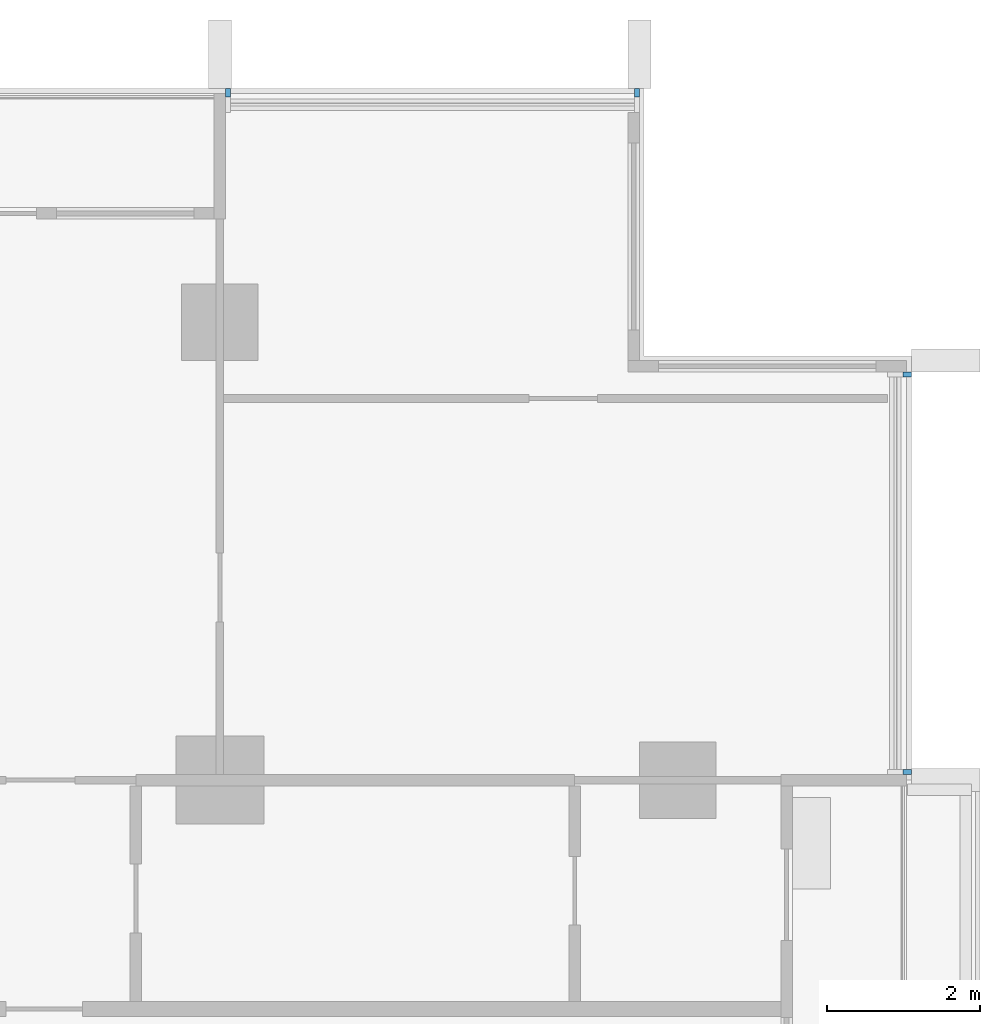
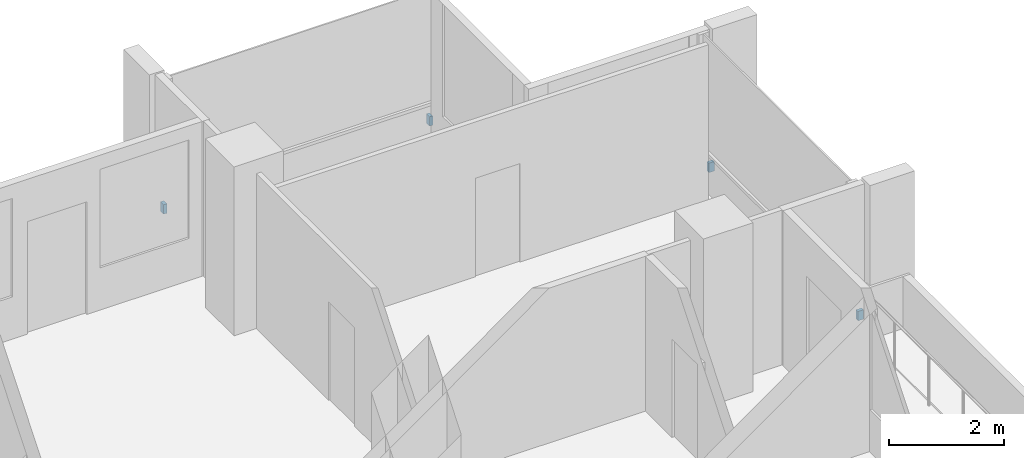
# One storey, part 16 of 17: 4 discrete accessories.
"""IFC4 building model written with IfcOpenShell, lengths in metres."""

from ifc_helpers import new_model, si_unit, direction, frame, origin, origin_2d, place, context, subcontext, project, spatial, rectangle, extrude, material, type_object, element, save


model = new_model("IFC4")

# Units and contexts
model_context = context("Model", 3, precision=1e-05, world=origin(), true_north=direction((0.0, 1.0)))
body_context = subcontext(model_context, "Body", "Model", "MODEL_VIEW")
ifc_project = project(units=[si_unit("LENGTHUNIT", "METRE"), si_unit("AREAUNIT", "SQUARE_METRE"), si_unit("VOLUMEUNIT", "CUBIC_METRE"), si_unit("PLANEANGLEUNIT", "RADIAN"), si_unit("MASSUNIT", "GRAM", prefix="KILO")], contexts=[model_context])

# Site, building, storey
site_placement = place(None, origin())
site = spatial("IfcSite", under=ifc_project, at=site_placement, CompositionType="ELEMENT")
building_placement = place(site_placement, origin())
building = spatial("IfcBuilding", under=site, at=building_placement, Name="Finial Court Residences", CompositionType="ELEMENT")
storey_placement = place(building_placement, frame((0.0, 0.0, 124.300048828125)))
storey = spatial("IfcBuildingStorey", under=building, at=storey_placement, Name="L31", CompositionType="ELEMENT", Elevation=124.300048828125)

# Discrete accessories
ifc_material = material(Name="Stainless steel 316", Category="steel")
discrete_accessory_type = type_object("IfcDiscreteAccessoryType", Name="Fin bracket, stainless steel 65 x 110 x 200", PredefinedType="BRACKET", material=ifc_material)
for number, where, z_axis, x_axis, name in (
    (1, (16.607421875, 22.5048828125, 0.2998046875), (0.0, 0.0, 1.0), (1.0, 0.0, 0.0), "E-L31-FIN-N7-BRK"),
    (2, (21.967529296875, 22.5048828125, 0.2998046875), (0.0, 0.0, 1.0), (1.0, 0.0, 0.0), "E-L31-FIN-N8-BRK"),
):
    element("IfcDiscreteAccessory", number, at=place(storey_placement, frame(where, z_axis=z_axis, x_axis=x_axis)), inside=storey, type_object=discrete_accessory_type, Name=name, PredefinedType="BRACKET", context=body_context, shape_type="SweptSolid", body=[
        extrude(rectangle(XDim=0.06494140625, YDim=0.110107421875, at=origin_2d()), origin(), (0.0, 0.0, 1.0), 0.199951171875),
    ])
for number, where, z_axis, x_axis, name in (
    (3, (25.5048828125, 13.607421875, 0.2998046875), (0.0, 0.0, 1.0), (1.0, 0.0, 0.0), "E-L31-FIN-E14-BRK"),
    (4, (25.5048828125, 18.8173828125, 0.2998046875), (0.0, 0.0, 1.0), (1.0, 0.0, 0.0), "E-L31-FIN-E15-BRK"),
):
    element("IfcDiscreteAccessory", number, at=place(storey_placement, frame(where, z_axis=z_axis, x_axis=x_axis)), inside=storey, type_object=discrete_accessory_type, Name=name, PredefinedType="BRACKET", context=body_context, shape_type="SweptSolid", body=[
        extrude(rectangle(XDim=0.110107421875, YDim=0.06494140625, at=origin_2d()), origin(), (0.0, 0.0, 1.0), 0.199951171875),
    ])

save(model, "model.ifc")
